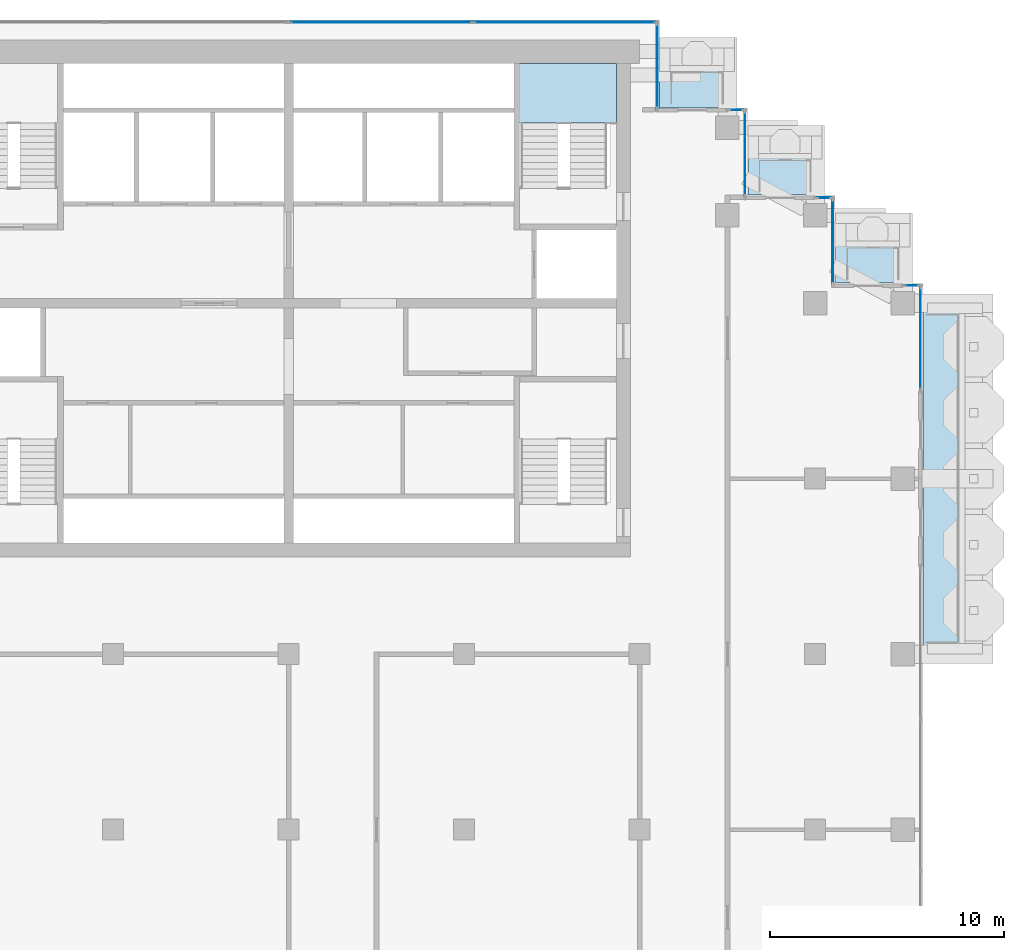
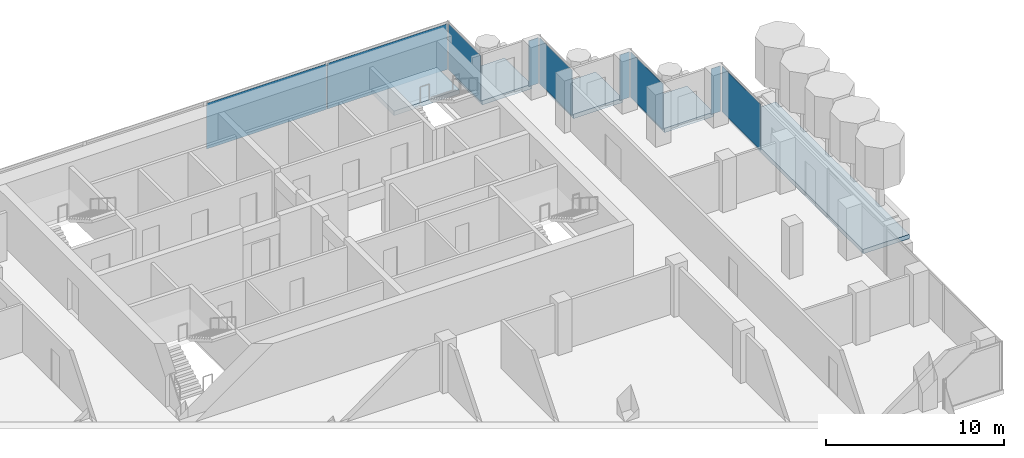
# One storey, part 10 of 18: 9 plates, 5 slabs, 9 elements without a shape of their own.
"""IFC4 building model written with IfcOpenShell, lengths in metres."""

from ifc_helpers import new_model, si_unit, direction, frame, origin, origin_2d, place, context, subcontext, project, spatial, polyline, rectangle, outline, extrude, material, layer, layer_set, type_object, element, aggregate, save


model = new_model("IFC4")

# Units and contexts
model_context = context("Model", 3, precision=1e-05, world=origin(), true_north=direction((0.0, 1.0)))
body_context = subcontext(model_context, "Body", "Model", "MODEL_VIEW")
ifc_project = project(units=[si_unit("LENGTHUNIT", "METRE"), si_unit("AREAUNIT", "SQUARE_METRE"), si_unit("VOLUMEUNIT", "CUBIC_METRE"), si_unit("PLANEANGLEUNIT", "RADIAN"), si_unit("MASSUNIT", "GRAM", prefix="KILO")], contexts=[model_context])

# Site, building, storey
site_placement = place(None, origin())
site = spatial("IfcSite", under=ifc_project, at=site_placement, CompositionType="ELEMENT")
building_placement = place(site_placement, origin())
building = spatial("IfcBuilding", under=site, at=building_placement, Name="Pilkhan Gate Tower", CompositionType="ELEMENT")
storey_placement = place(building_placement, frame((0.0, 0.0, 210.300048828125)))
storey = spatial("IfcBuildingStorey", under=building, at=storey_placement, Name="L54", CompositionType="ELEMENT", Elevation=210.300048828125)

# Slabs
ifc_material_1 = material(Name="Concrete C60/75", Category="concrete")
ifc_layer_1 = layer(ifc_material_1, 0.300048828125)
ifc_layer_set_1 = layer_set([ifc_layer_1], Name="Balcony tray slab TR300")
slab_type_1 = type_object("IfcSlabType", Name="Balcony tray slab TR300", PredefinedType="FLOOR", material=ifc_layer_set_1)
slab_1_placement = place(storey_placement, frame((0.0, 0.0, -0.300048828125)))
element("IfcSlab", 1, at=slab_1_placement, inside=storey, type_object=slab_type_1, Name="Balcony tray L54 E", PredefinedType="FLOOR", context=body_context, shape_type="SweptSolid", body=[
    extrude(outline(polyline([(105.10009765625, 67.5), (105.10009765625, 82.5), (102.10009765625, 82.5), (102.10009765625, 67.5), (105.10009765625, 67.5)])), origin(), (0.0, 0.0, 1.0), 0.300048828125),
])
slab_2_placement = place(storey_placement, frame((0.0, 0.0, -0.300048828125)))
element("IfcSlab", 2, at=slab_2_placement, inside=storey, type_object=slab_type_1, Name="Balcony tray L54 N", PredefinedType="FLOOR", context=body_context, shape_type="SweptSolid", body=[
    extrude(outline(polyline([(94.050048828125, 90.85009765625), (94.050048828125, 93.85009765625), (90.85009765625, 93.85009765625), (90.85009765625, 90.85009765625), (94.050048828125, 90.85009765625)])), origin(), (0.0, 0.0, 1.0), 0.300048828125),
])
slab_3_placement = place(storey_placement, frame((0.0, 0.0, -0.300048828125)))
element("IfcSlab", 3, at=slab_3_placement, inside=storey, type_object=slab_type_1, Name="Balcony tray L54 N", PredefinedType="FLOOR", context=body_context, shape_type="SweptSolid", body=[
    extrude(outline(polyline([(97.800048828125, 87.1201171875), (97.800048828125, 90.10009765625), (94.6201171875, 90.10009765625), (94.6201171875, 87.1201171875), (97.800048828125, 87.1201171875)])), origin(), (0.0, 0.0, 1.0), 0.300048828125),
])
slab_4_placement = place(storey_placement, frame((0.0, 0.0, -0.300048828125)))
element("IfcSlab", 4, at=slab_4_placement, inside=storey, type_object=slab_type_1, Name="Balcony tray L54 N", PredefinedType="FLOOR", context=body_context, shape_type="SweptSolid", body=[
    extrude(outline(polyline([(101.550048828125, 83.3701171875), (101.550048828125, 86.35009765625), (98.3701171875, 86.35009765625), (98.3701171875, 83.3701171875), (101.550048828125, 83.3701171875)])), origin(), (0.0, 0.0, 1.0), 0.300048828125),
])

# Curtain wall, plate
ifc_material_2 = material(Name="Pale anodised aluminium, clear low-iron double glazing", Category="aluminium")
curtain_wall_type = type_object("IfcCurtainWallType", Name="Office unitised curtain wall CW-O2", PredefinedType="USERDEFINED", material=ifc_material_2)
curtain_wall_1_placement = place(storey_placement, origin())
curtain_wall_1 = element("IfcCurtainWall", 5, at=curtain_wall_1_placement, inside=storey, type_object=curtain_wall_type, Name="Office unitised curtain wall CW-O2 L54 E", ObjectType="UNITISED CURTAIN WALL", PredefinedType="USERDEFINED")
ifc_material_3 = material(Name="Clear low-iron double glazing", Category="glass")
ifc_layer_2 = layer(ifc_material_3, 0.031982421875)
ifc_layer_set_2 = layer_set([ifc_layer_2], Name="Glass panel CW-O2 32")
plate_type = type_object("IfcPlateType", Name="Glass panel CW-O2 32", PredefinedType="CURTAIN_PANEL", material=ifc_layer_set_2)
plate_1_placement = place(storey_placement, frame((102.0, 81.0, 0.0), z_axis=(0.0, 0.0, 1.0), x_axis=(0.0, 1.0, 0.0)))
plate_1 = element("IfcPlate", 6, at=plate_1_placement, type_object=plate_type, Name="CW-O2 panel 1", PredefinedType="CURTAIN_PANEL", context=body_context, shape_type="SweptSolid", body=[
    extrude(rectangle(XDim=4.3701171875, YDim=0.031982421875, at=origin_2d()), origin(), (0.0, 0.0, 1.0), 3.135009765625),
])
aggregate(curtain_wall_1, [plate_1])

curtain_wall_2_placement = place(storey_placement, origin())
curtain_wall_2 = element("IfcCurtainWall", 7, at=curtain_wall_2_placement, inside=storey, type_object=curtain_wall_type, Name="Office unitised curtain wall CW-O2 L54 N", ObjectType="UNITISED CURTAIN WALL", PredefinedType="USERDEFINED")
plate_2_placement = place(storey_placement, frame((101.625, 83.25, 0.0), z_axis=(0.0, 0.0, 1.0), x_axis=(1.0, 0.0, 0.0)))
plate_2 = element("IfcPlate", 8, at=plate_2_placement, type_object=plate_type, Name="CW-O2 panel 1", PredefinedType="CURTAIN_PANEL", context=body_context, shape_type="SweptSolid", body=[
    extrude(rectangle(XDim=0.6201171875, YDim=0.031982421875, at=origin_2d()), origin(), (0.0, 0.0, 1.0), 3.135009765625),
])
aggregate(curtain_wall_2, [plate_2])

curtain_wall_3_placement = place(storey_placement, origin())
curtain_wall_3 = element("IfcCurtainWall", 9, at=curtain_wall_3_placement, inside=storey, type_object=curtain_wall_type, Name="Office unitised curtain wall CW-O2 L54 E", ObjectType="UNITISED CURTAIN WALL", PredefinedType="USERDEFINED")
plate_3_placement = place(storey_placement, frame((98.25, 85.125, 0.0), z_axis=(0.0, 0.0, 1.0), x_axis=(0.0, 1.0, 0.0)))
plate_3 = element("IfcPlate", 10, at=plate_3_placement, type_object=plate_type, Name="CW-O2 panel 1", PredefinedType="CURTAIN_PANEL", context=body_context, shape_type="SweptSolid", body=[
    extrude(rectangle(XDim=3.6201171875, YDim=0.031982421875, at=origin_2d()), origin(), (0.0, 0.0, 1.0), 3.135009765625),
])
aggregate(curtain_wall_3, [plate_3])

curtain_wall_4_placement = place(storey_placement, origin())
curtain_wall_4 = element("IfcCurtainWall", 11, at=curtain_wall_4_placement, inside=storey, type_object=curtain_wall_type, Name="Office unitised curtain wall CW-O2 L54 N", ObjectType="UNITISED CURTAIN WALL", PredefinedType="USERDEFINED")
plate_4_placement = place(storey_placement, frame((97.875, 87.0, 0.0), z_axis=(0.0, 0.0, 1.0), x_axis=(1.0, 0.0, 0.0)))
plate_4 = element("IfcPlate", 12, at=plate_4_placement, type_object=plate_type, Name="CW-O2 panel 1", PredefinedType="CURTAIN_PANEL", context=body_context, shape_type="SweptSolid", body=[
    extrude(rectangle(XDim=0.6201171875, YDim=0.031982421875, at=origin_2d()), origin(), (0.0, 0.0, 1.0), 3.135009765625),
])
aggregate(curtain_wall_4, [plate_4])

curtain_wall_5_placement = place(storey_placement, origin())
curtain_wall_5 = element("IfcCurtainWall", 13, at=curtain_wall_5_placement, inside=storey, type_object=curtain_wall_type, Name="Office unitised curtain wall CW-O2 L54 E", ObjectType="UNITISED CURTAIN WALL", PredefinedType="USERDEFINED")
plate_5_placement = place(storey_placement, frame((94.5, 88.875, 0.0), z_axis=(0.0, 0.0, 1.0), x_axis=(0.0, 1.0, 0.0)))
plate_5 = element("IfcPlate", 14, at=plate_5_placement, type_object=plate_type, Name="CW-O2 panel 1", PredefinedType="CURTAIN_PANEL", context=body_context, shape_type="SweptSolid", body=[
    extrude(rectangle(XDim=3.6201171875, YDim=0.031982421875, at=origin_2d()), origin(), (0.0, 0.0, 1.0), 3.135009765625),
])
aggregate(curtain_wall_5, [plate_5])

curtain_wall_6_placement = place(storey_placement, origin())
curtain_wall_6 = element("IfcCurtainWall", 15, at=curtain_wall_6_placement, inside=storey, type_object=curtain_wall_type, Name="Office unitised curtain wall CW-O2 L54 N", ObjectType="UNITISED CURTAIN WALL", PredefinedType="USERDEFINED")
plate_6_placement = place(storey_placement, frame((94.125, 90.75, 0.0), z_axis=(0.0, 0.0, 1.0), x_axis=(1.0, 0.0, 0.0)))
plate_6 = element("IfcPlate", 16, at=plate_6_placement, type_object=plate_type, Name="CW-O2 panel 1", PredefinedType="CURTAIN_PANEL", context=body_context, shape_type="SweptSolid", body=[
    extrude(rectangle(XDim=0.6201171875, YDim=0.031982421875, at=origin_2d()), origin(), (0.0, 0.0, 1.0), 3.135009765625),
])
aggregate(curtain_wall_6, [plate_6])

curtain_wall_7_placement = place(storey_placement, origin())
curtain_wall_7 = element("IfcCurtainWall", 17, at=curtain_wall_7_placement, inside=storey, type_object=curtain_wall_type, Name="Office unitised curtain wall CW-O2 L54 E", ObjectType="UNITISED CURTAIN WALL", PredefinedType="USERDEFINED")
plate_7_placement = place(storey_placement, frame((90.75, 92.625, 0.0), z_axis=(0.0, 0.0, 1.0), x_axis=(0.0, 1.0, 0.0)))
plate_7 = element("IfcPlate", 18, at=plate_7_placement, type_object=plate_type, Name="CW-O2 panel 1", PredefinedType="CURTAIN_PANEL", context=body_context, shape_type="SweptSolid", body=[
    extrude(rectangle(XDim=3.6201171875, YDim=0.031982421875, at=origin_2d()), origin(), (0.0, 0.0, 1.0), 3.135009765625),
])
aggregate(curtain_wall_7, [plate_7])

# Curtain wall, plates
curtain_wall_8_placement = place(storey_placement, origin())
curtain_wall_8 = element("IfcCurtainWall", 19, at=curtain_wall_8_placement, inside=storey, type_object=curtain_wall_type, Name="Office unitised curtain wall CW-O2 L54 N", ObjectType="UNITISED CURTAIN WALL", PredefinedType="USERDEFINED")
plate_8_placement = place(storey_placement, frame((78.953857421875, 94.5, 0.0), z_axis=(0.0, 0.0, 1.0), x_axis=(1.0, 0.0, 0.0)))
plate_8 = element("IfcPlate", 20, at=plate_8_placement, type_object=plate_type, Name="CW-O2 panel 1", PredefinedType="CURTAIN_PANEL", context=body_context, shape_type="SweptSolid", body=[
    extrude(rectangle(XDim=7.777587890625, YDim=0.031982421875, at=origin_2d()), origin(), (0.0, 0.0, 1.0), 3.135009765625),
])
plate_9_placement = place(storey_placement, frame((86.796142578125, 94.5, 0.0), z_axis=(0.0, 0.0, 1.0), x_axis=(1.0, 0.0, 0.0)))
plate_9 = element("IfcPlate", 21, at=plate_9_placement, type_object=plate_type, Name="CW-O2 panel 2", PredefinedType="CURTAIN_PANEL", context=body_context, shape_type="SweptSolid", body=[
    extrude(rectangle(XDim=7.777587890625, YDim=0.031982421875, at=origin_2d()), origin(), (0.0, 0.0, 1.0), 3.135009765625),
])
aggregate(curtain_wall_8, [plate_8, plate_9])

# Stair, slab
ifc_material_4 = material(Name="Concrete C40/50 precast", Category="concrete")
stair_type = type_object("IfcStairType", Name="Stair ST4 164x280", PredefinedType="HALF_TURN_STAIR", material=ifc_material_4)
stair_placement = place(storey_placement, origin())
stair = element("IfcStair", 22, at=stair_placement, inside=storey, type_object=stair_type, Name="Stair ST4 L54", PredefinedType="HALF_TURN_STAIR")
ifc_material_5 = material(Name="Concrete C40/50", Category="concrete")
ifc_layer_3 = layer(ifc_material_5, 0.199951171875)
ifc_layer_set_3 = layer_set([ifc_layer_3], Name="Stair landing SL200")
slab_type_2 = type_object("IfcSlabType", Name="Stair landing SL200", PredefinedType="LANDING", material=ifc_layer_set_3)
slab_5_placement = place(storey_placement, frame((0.0, 0.0, 1.5)))
slab_5 = element("IfcSlab", 23, at=slab_5_placement, type_object=slab_type_2, Name="ST4 landing 1", PredefinedType="LANDING", context=body_context, shape_type="SweptSolid", body=[
    extrude(outline(polyline([(89.0, 90.199951171875), (89.0, 92.75), (84.75, 92.75), (84.75, 90.199951171875), (89.0, 90.199951171875)])), origin(), (0.0, 0.0, 1.0), 0.300048828125),
])
aggregate(stair, [slab_5])

save(model, "model.ifc")
